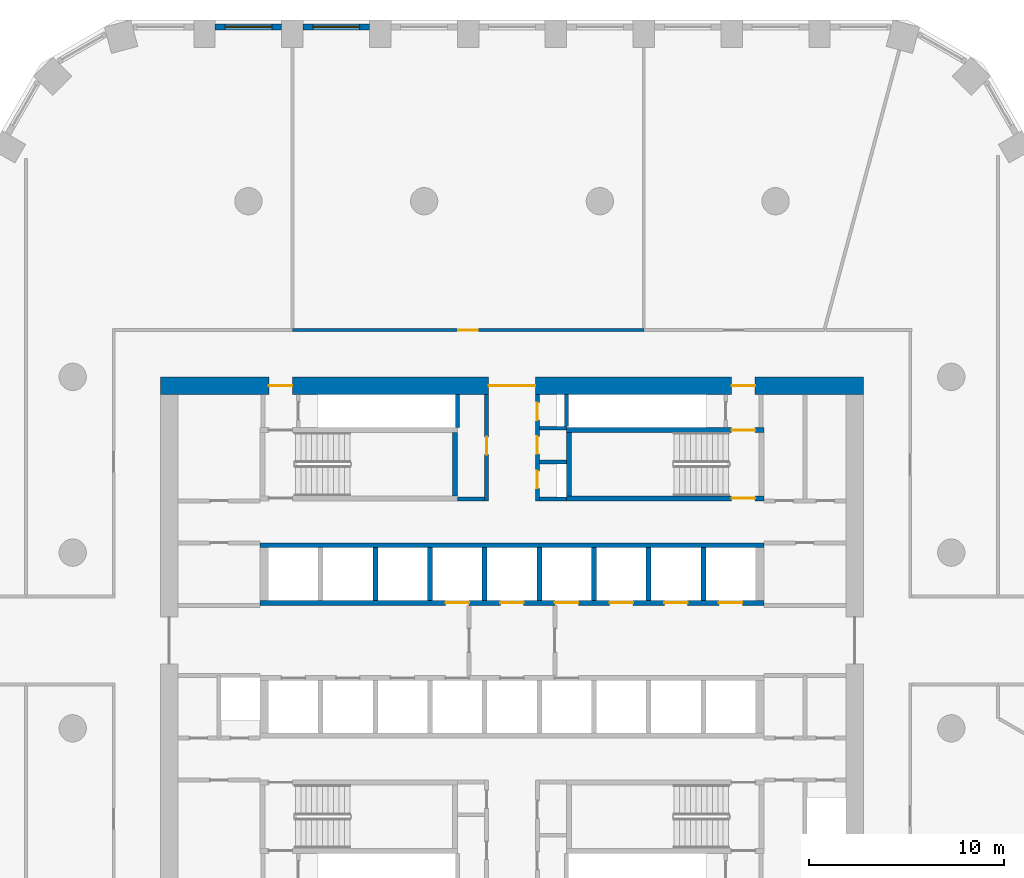
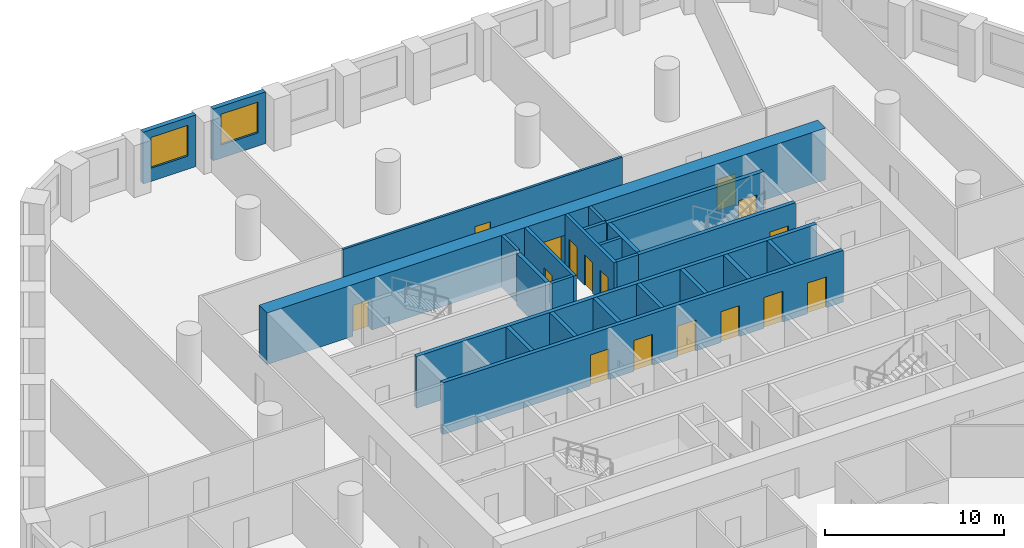
# One storey, part 6 of 10: 25 walls, 16 doors, 2 windows, 18 openings.
"""IFC4 building model written with IfcOpenShell, lengths in metres."""

from ifc_helpers import new_model, si_unit, direction, frame, frame_2d, origin, place, context, subcontext, project, spatial, polyline, rectangle, outline, extrude, material, layer, layer_set, type_object, element, fill, save


model = new_model("IFC4")

# Units and contexts
model_context = context("Model", 3, precision=1e-05, world=origin(), true_north=direction((0.0, 1.0)))
body_context = subcontext(model_context, "Body", "Model", "MODEL_VIEW")
ifc_project = project(units=[si_unit("LENGTHUNIT", "METRE"), si_unit("AREAUNIT", "SQUARE_METRE"), si_unit("VOLUMEUNIT", "CUBIC_METRE"), si_unit("PLANEANGLEUNIT", "RADIAN"), si_unit("MASSUNIT", "GRAM", prefix="KILO")], contexts=[model_context])

# Site, building, storey
site_placement = place(None, origin())
site = spatial("IfcSite", under=ifc_project, at=site_placement, CompositionType="ELEMENT")
building_placement = place(site_placement, origin())
building = spatial("IfcBuilding", under=site, at=building_placement, Name="Dhurran Vertical Campus", CompositionType="ELEMENT")
storey_placement = place(building_placement, frame((0.0, 0.0, 69.0)))
storey = spatial("IfcBuildingStorey", under=building, at=storey_placement, Name="L16", CompositionType="ELEMENT", Elevation=69.0)

# Wall, opening, window
ifc_material_1 = material(Name="Precast concrete C50/60", Category="concrete")
ifc_layer_1 = layer(ifc_material_1, 0.300048828125)
ifc_layer_set_1 = layer_set([ifc_layer_1], Name="Precast concrete C50/60")
wall_type_1 = type_object("IfcWallType", Name="Precast spandrel wall 300", PredefinedType="SOLIDWALL", material=ifc_layer_set_1)
wall_1_placement = place(storey_placement, frame((-7.300537109375, 31.4296875, 0.0), z_axis=(0.0, 0.0, 1.0), x_axis=(-1.0, 0.0, 0.0)))
wall_1 = element("IfcWall", 1, at=wall_1_placement, inside=storey, type_object=wall_type_1, Name="EW1 L16.32", PredefinedType="SOLIDWALL", context=body_context, shape_type="SweptSolid", body=[
    extrude(rectangle(XDim=3.39892578125, YDim=0.300048828125, at=frame_2d((1.699462890625, 0.0))), origin(), (0.0, 0.0, 1.0), 3.52490234375),
])
opening_1_placement = place(wall_1_placement, frame((0.49951171875, 0.0, 0.89990234375)))
opening_1 = element("IfcOpeningElement", 2, at=opening_1_placement, cuts=wall_1, Name="Opening WT1", PredefinedType="OPENING", context=body_context, shape_type="SweptSolid", body=[
    extrude(rectangle(XDim=2.39990234375, YDim=2.10009765625, at=frame_2d((1.199951171875, 1.050048828125))), frame((0.0, 0.159912109375, 0.0), z_axis=(0.0, -1.0, 0.0), x_axis=(1.0, 0.0, 0.0)), (0.0, 0.0, 1.0), 0.320068359375),
])
ifc_material_2 = material(Name="Aluminium frame with solar-control glass", Category="aluminium")
window_type = type_object("IfcWindowType", Name="Punched window 2400 x 2100", PartitioningType="SINGLE_PANEL", PredefinedType="WINDOW", material=ifc_material_2)
window_1_placement = place(opening_1_placement, origin())
window_1 = element("IfcWindow", 3, at=window_1_placement, inside=storey, type_object=window_type, Name="WT1 L16.32", OverallHeight=2.10009765625, OverallWidth=2.39990234375, PartitioningType="SINGLE_PANEL", PredefinedType="WINDOW", context=body_context, shape_type="SweptSolid", body=[
    extrude(rectangle(XDim=2.39990234375, YDim=2.10009765625, at=frame_2d((1.199951171875, 1.050048828125))), frame((0.0, 0.030029296875, 0.0), z_axis=(0.0, -1.0, 0.0), x_axis=(1.0, 0.0, 0.0)), (0.0, 0.0, 1.0), 0.06005859375),
])
fill(opening_1, window_1)

wall_2_placement = place(storey_placement, frame((-11.800537109375, 31.4296875, 0.0), z_axis=(0.0, 0.0, 1.0), x_axis=(-1.0, 0.0, 0.0)))
wall_2 = element("IfcWall", 4, at=wall_2_placement, inside=storey, type_object=wall_type_1, Name="EW1 L16.33", PredefinedType="SOLIDWALL", context=body_context, shape_type="SweptSolid", body=[
    extrude(rectangle(XDim=3.39892578125, YDim=0.300048828125, at=frame_2d((1.699462890625, 0.0))), origin(), (0.0, 0.0, 1.0), 3.52490234375),
])
opening_2_placement = place(wall_2_placement, frame((0.49951171875, 0.0, 0.89990234375)))
opening_2 = element("IfcOpeningElement", 5, at=opening_2_placement, cuts=wall_2, Name="Opening WT1", PredefinedType="OPENING", context=body_context, shape_type="SweptSolid", body=[
    extrude(rectangle(XDim=2.39990234375, YDim=2.10009765625, at=frame_2d((1.199951171875, 1.050048828125))), frame((0.0, 0.159912109375, 0.0), z_axis=(0.0, -1.0, 0.0), x_axis=(1.0, 0.0, 0.0)), (0.0, 0.0, 1.0), 0.320068359375),
])
window_2_placement = place(opening_2_placement, origin())
window_2 = element("IfcWindow", 6, at=window_2_placement, inside=storey, type_object=window_type, Name="WT1 L16.33", OverallHeight=2.10009765625, OverallWidth=2.39990234375, PartitioningType="SINGLE_PANEL", PredefinedType="WINDOW", context=body_context, shape_type="SweptSolid", body=[
    extrude(rectangle(XDim=2.39990234375, YDim=2.10009765625, at=frame_2d((1.199951171875, 1.050048828125))), frame((0.0, 0.030029296875, 0.0), z_axis=(0.0, -1.0, 0.0), x_axis=(1.0, 0.0, 0.0)), (0.0, 0.0, 1.0), 0.06005859375),
])
fill(opening_2, window_2)

# Wall, openings, doors
ifc_material_3 = material(Name="Concrete C60/75", Category="concrete")
ifc_layer_2 = layer(ifc_material_3, 0.89990234375)
ifc_layer_set_2 = layer_set([ifc_layer_2], Name="Concrete C60/75")
wall_type_2 = type_object("IfcWallType", Name="co-CORE-WALL-C0-900", PredefinedType="SHEAR", material=ifc_layer_set_2)
wall_3_placement = place(storey_placement, frame((-18.0, 13.050048828125, 0.0), z_axis=(0.0, 0.0, 1.0), x_axis=(1.0, 0.0, 0.0)))
wall_3 = element("IfcWall", 7, at=wall_3_placement, inside=storey, type_object=wall_type_2, Name="Core wall N L16", PredefinedType="SHEAR", context=body_context, shape_type="SweptSolid", body=[
    extrude(rectangle(XDim=36.0, YDim=0.89990234375, at=frame_2d((18.0, 0.0))), origin(), (0.0, 0.0, 1.0), 3.52490234375),
])
opening_3_placement = place(wall_3_placement, frame((16.800048828125, 0.0, 0.0)))
opening_3 = element("IfcOpeningElement", 8, at=opening_3_placement, cuts=wall_3, Name="Opening CV1", PredefinedType="OPENING", context=body_context, shape_type="SweptSolid", body=[
    extrude(rectangle(XDim=2.39990234375, YDim=2.10009765625, at=frame_2d((1.199951171875, 1.050048828125))), frame((0.0, 0.4599609375, 0.0), z_axis=(0.0, -1.0, 0.0), x_axis=(1.0, 0.0, 0.0)), (0.0, 0.0, 1.0), 0.919921875),
])
opening_4_placement = place(wall_3_placement, frame((5.550048828125, 0.0, 0.0)))
opening_4 = element("IfcOpeningElement", 9, at=opening_4_placement, cuts=wall_3, Name="Opening XD1", PredefinedType="OPENING", context=body_context, shape_type="SweptSolid", body=[
    extrude(rectangle(XDim=1.199951171875, YDim=2.10009765625, at=frame_2d((0.60009765625, 1.050048828125))), frame((0.0, 0.4599609375, 0.0), z_axis=(0.0, -1.0, 0.0), x_axis=(1.0, 0.0, 0.0)), (0.0, 0.0, 1.0), 0.919921875),
])
opening_5_placement = place(wall_3_placement, frame((29.25, 0.0, 0.0)))
opening_5 = element("IfcOpeningElement", 10, at=opening_5_placement, cuts=wall_3, Name="Opening XD2", PredefinedType="OPENING", context=body_context, shape_type="SweptSolid", body=[
    extrude(rectangle(XDim=1.199951171875, YDim=2.10009765625, at=frame_2d((0.60009765625, 1.050048828125))), frame((0.0, 0.4599609375, 0.0), z_axis=(0.0, -1.0, 0.0), x_axis=(1.0, 0.0, 0.0)), (0.0, 0.0, 1.0), 0.919921875),
])
ifc_material_4 = material(Name="Fire-rated glazed door set")
door_type_1 = type_object("IfcDoorType", Name="co-D-LOBBY 2400x2100", OperationType="DOUBLE_DOOR_DOUBLE_SWING", PredefinedType="DOOR", material=ifc_material_4)
door_1_placement = place(opening_3_placement, origin())
door_1 = element("IfcDoor", 11, at=door_1_placement, inside=storey, type_object=door_type_1, Name="Core vestibule door N L16", OperationType="DOUBLE_DOOR_DOUBLE_SWING", OverallHeight=2.10009765625, OverallWidth=2.39990234375, PredefinedType="DOOR", context=body_context, shape_type="SweptSolid", body=[
    extrude(rectangle(XDim=2.39990234375, YDim=2.10009765625, at=frame_2d((1.199951171875, 1.050048828125))), frame((0.0, 0.02490234375, 0.0), z_axis=(0.0, -1.0, 0.0), x_axis=(1.0, 0.0, 0.0)), (0.0, 0.0, 1.0), 0.050048828125),
])
fill(opening_3, door_1)
ifc_material_5 = material(Name="Fire-rated steel door set", Category="steel")
door_type_2 = type_object("IfcDoorType", Name="co-D-STAIR-EXIT 1200x2100", OperationType="SINGLE_SWING_RIGHT", PredefinedType="DOOR", material=ifc_material_5)
door_2_placement = place(opening_4_placement, origin())
door_2 = element("IfcDoor", 12, at=door_2_placement, inside=storey, type_object=door_type_2, Name="Stair ST1 exit door L16", OperationType="SINGLE_SWING_RIGHT", OverallHeight=2.10009765625, OverallWidth=1.199951171875, PredefinedType="DOOR", context=body_context, shape_type="SweptSolid", body=[
    extrude(rectangle(XDim=1.199951171875, YDim=2.10009765625, at=frame_2d((0.60009765625, 1.050048828125))), frame((0.0, 0.02490234375, 0.0), z_axis=(0.0, -1.0, 0.0), x_axis=(1.0, 0.0, 0.0)), (0.0, 0.0, 1.0), 0.050048828125),
])
fill(opening_4, door_2)
door_3_placement = place(opening_5_placement, origin())
door_3 = element("IfcDoor", 13, at=door_3_placement, inside=storey, type_object=door_type_2, Name="Stair ST2 exit door L16", OperationType="SINGLE_SWING_RIGHT", OverallHeight=2.10009765625, OverallWidth=1.199951171875, PredefinedType="DOOR", context=body_context, shape_type="SweptSolid", body=[
    extrude(rectangle(XDim=1.199951171875, YDim=2.10009765625, at=frame_2d((0.60009765625, 1.050048828125))), frame((0.0, 0.02490234375, 0.0), z_axis=(0.0, -1.0, 0.0), x_axis=(1.0, 0.0, 0.0)), (0.0, 0.0, 1.0), 0.050048828125),
])
fill(opening_5, door_3)

# Walls
ifc_material_6 = material(Name="Fire-rated masonry blockwork", Category="masonry")
ifc_layer_3 = layer(ifc_material_6, 0.199951171875)
ifc_layer_set_3 = layer_set([ifc_layer_3], Name="Fire-rated masonry blockwork")
wall_type_3 = type_object("IfcWallType", Name="co-FIRE-PARTITION-200", PredefinedType="PARTITIONING", material=ifc_layer_set_3)
for number, where, z_axis, x_axis, name in (
    (14, (-2.800048828125, 7.25, 0.0), (0.0, 0.0, 1.0), (1.0, 0.0, 0.0), "Core partition sl-NW-S L16"),
    (15, (1.39990234375, 7.25, 0.0), (0.0, 0.0, 1.0), (1.0, 0.0, 0.0), "Core partition sl-NE-S L16"),
    (16, (1.39990234375, 9.135009765625, 0.0), (0.0, 0.0, 1.0), (1.0, 0.0, 0.0), "Core partition sl-NE-cut0 L16"),
    (17, (1.39990234375, 10.867431640625, 0.0), (0.0, 0.0, 1.0), (1.0, 0.0, 0.0), "Core partition sl-NE-cut1 L16"),
):
    element("IfcWall", number, at=place(storey_placement, frame(where, z_axis=z_axis, x_axis=x_axis)), inside=storey, type_object=wall_type_3, Name=name, PredefinedType="PARTITIONING", context=body_context, shape_type="SweptSolid", body=[
        extrude(rectangle(XDim=1.400146484375, YDim=0.199951171875, at=frame_2d((0.7001953125, 0.0))), origin(), (0.0, 0.0, 1.0), 3.52490234375),
    ])

# Wall, opening, door
wall_4_placement = place(storey_placement, frame((-1.300048828125, 7.14990234375, 0.0), z_axis=(0.0, 0.0, 1.0), x_axis=(0.0, 1.0, 0.0)))
wall_4 = element("IfcWall", 18, at=wall_4_placement, inside=storey, type_object=wall_type_3, Name="Core partition vest-NW L16", PredefinedType="PARTITIONING", context=body_context, shape_type="SweptSolid", body=[
    extrude(rectangle(XDim=5.4501953125, YDim=0.199951171875, at=frame_2d((2.72509765625, 0.0))), origin(), (0.0, 0.0, 1.0), 3.52490234375),
])
opening_6_placement = place(wall_4_placement, frame((2.375, 0.0, 0.0)))
opening_6 = element("IfcOpeningElement", 19, at=opening_6_placement, cuts=wall_4, Name="Opening T04-C5", PredefinedType="OPENING", context=body_context, shape_type="SweptSolid", body=[
    extrude(rectangle(XDim=0.89990234375, YDim=2.10009765625, at=frame_2d((0.449951171875, 1.050048828125))), frame((0.0, 0.10986328125, 0.0), z_axis=(0.0, -1.0, 0.0), x_axis=(1.0, 0.0, 0.0)), (0.0, 0.0, 1.0), 0.219970703125),
])
ifc_material_7 = material(Name="Fire-rated timber door set", Category="wood")
door_type_3 = type_object("IfcDoorType", Name="co-D-ROOM 900x2100", OperationType="SINGLE_SWING_LEFT", PredefinedType="DOOR", material=ifc_material_7)
door_4_placement = place(opening_6_placement, origin())
door_4 = element("IfcDoor", 20, at=door_4_placement, inside=storey, type_object=door_type_3, Name="Plant room door L16", OperationType="SINGLE_SWING_LEFT", OverallHeight=2.10009765625, OverallWidth=0.89990234375, PredefinedType="DOOR", context=body_context, shape_type="SweptSolid", body=[
    extrude(rectangle(XDim=0.89990234375, YDim=2.10009765625, at=frame_2d((0.449951171875, 1.050048828125))), frame((0.0, 0.02490234375, 0.0), z_axis=(0.0, -1.0, 0.0), x_axis=(1.0, 0.0, 0.0)), (0.0, 0.0, 1.0), 0.050048828125),
])
fill(opening_6, door_4)

# Wall, openings, doors
wall_5_placement = place(storey_placement, frame((1.300048828125, 7.14990234375, 0.0), z_axis=(0.0, 0.0, 1.0), x_axis=(0.0, 1.0, 0.0)))
wall_5 = element("IfcWall", 21, at=wall_5_placement, inside=storey, type_object=wall_type_3, Name="Core partition vest-NE L16", PredefinedType="PARTITIONING", context=body_context, shape_type="SweptSolid", body=[
    extrude(rectangle(XDim=5.4501953125, YDim=0.199951171875, at=frame_2d((2.72509765625, 0.0))), origin(), (0.0, 0.0, 1.0), 3.52490234375),
])
opening_7_placement = place(wall_5_placement, frame((0.642578125, 0.0, 0.0)))
opening_7 = element("IfcOpeningElement", 22, at=opening_7_placement, cuts=wall_5, Name="Opening T04-C6", PredefinedType="OPENING", context=body_context, shape_type="SweptSolid", body=[
    extrude(rectangle(XDim=0.89990234375, YDim=2.10009765625, at=frame_2d((0.449951171875, 1.050048828125))), frame((0.0, 0.10986328125, 0.0), z_axis=(0.0, -1.0, 0.0), x_axis=(1.0, 0.0, 0.0)), (0.0, 0.0, 1.0), 0.219970703125),
])
opening_8_placement = place(wall_5_placement, frame((2.401123046875, 0.0, 0.0)))
opening_8 = element("IfcOpeningElement", 23, at=opening_8_placement, cuts=wall_5, Name="Opening T04-C7", PredefinedType="OPENING", context=body_context, shape_type="SweptSolid", body=[
    extrude(rectangle(XDim=0.89990234375, YDim=2.10009765625, at=frame_2d((0.449951171875, 1.050048828125))), frame((0.0, 0.10986328125, 0.0), z_axis=(0.0, -1.0, 0.0), x_axis=(1.0, 0.0, 0.0)), (0.0, 0.0, 1.0), 0.219970703125),
])
opening_9_placement = place(wall_5_placement, frame((4.1337890625, 0.0, 0.0)))
opening_9 = element("IfcOpeningElement", 24, at=opening_9_placement, cuts=wall_5, Name="Opening T04-C8", PredefinedType="OPENING", context=body_context, shape_type="SweptSolid", body=[
    extrude(rectangle(XDim=0.89990234375, YDim=2.10009765625, at=frame_2d((0.449951171875, 1.050048828125))), frame((0.0, 0.10986328125, 0.0), z_axis=(0.0, -1.0, 0.0), x_axis=(1.0, 0.0, 0.0)), (0.0, 0.0, 1.0), 0.219970703125),
])
door_5_placement = place(opening_7_placement, origin())
door_5 = element("IfcDoor", 25, at=door_5_placement, inside=storey, type_object=door_type_3, Name="Water riser door L16", OperationType="SINGLE_SWING_LEFT", OverallHeight=2.10009765625, OverallWidth=0.89990234375, PredefinedType="DOOR", context=body_context, shape_type="SweptSolid", body=[
    extrude(rectangle(XDim=0.89990234375, YDim=2.10009765625, at=frame_2d((0.449951171875, 1.050048828125))), frame((0.0, 0.02490234375, 0.0), z_axis=(0.0, -1.0, 0.0), x_axis=(1.0, 0.0, 0.0)), (0.0, 0.0, 1.0), 0.050048828125),
])
fill(opening_7, door_5)
door_6_placement = place(opening_8_placement, origin())
door_6 = element("IfcDoor", 26, at=door_6_placement, inside=storey, type_object=door_type_3, Name="Waste room door L16", OperationType="SINGLE_SWING_LEFT", OverallHeight=2.10009765625, OverallWidth=0.89990234375, PredefinedType="DOOR", context=body_context, shape_type="SweptSolid", body=[
    extrude(rectangle(XDim=0.89990234375, YDim=2.10009765625, at=frame_2d((0.449951171875, 1.050048828125))), frame((0.0, 0.02490234375, 0.0), z_axis=(0.0, -1.0, 0.0), x_axis=(1.0, 0.0, 0.0)), (0.0, 0.0, 1.0), 0.050048828125),
])
fill(opening_8, door_6)
door_7_placement = place(opening_9_placement, origin())
door_7 = element("IfcDoor", 27, at=door_7_placement, inside=storey, type_object=door_type_3, Name="Electrical riser door L16", OperationType="SINGLE_SWING_LEFT", OverallHeight=2.10009765625, OverallWidth=0.89990234375, PredefinedType="DOOR", context=body_context, shape_type="SweptSolid", body=[
    extrude(rectangle(XDim=0.89990234375, YDim=2.10009765625, at=frame_2d((0.449951171875, 1.050048828125))), frame((0.0, 0.02490234375, 0.0), z_axis=(0.0, -1.0, 0.0), x_axis=(1.0, 0.0, 0.0)), (0.0, 0.0, 1.0), 0.050048828125),
])
fill(opening_9, door_7)

# Walls
wall_6_placement = place(storey_placement, frame((-2.800048828125, 10.90087890625, 0.0), z_axis=(0.0, 0.0, 1.0), x_axis=(0.0, 1.0, 0.0)))
element("IfcWall", 28, at=wall_6_placement, inside=storey, type_object=wall_type_3, Name="Riser enclosure wall L16", PredefinedType="PARTITIONING", context=body_context, shape_type="SweptSolid", body=[
    extrude(rectangle(XDim=1.6982421875, YDim=0.199951171875, at=frame_2d((0.84912109375, 0.0))), origin(), (0.0, 0.0, 1.0), 3.52490234375),
])
wall_7_placement = place(storey_placement, frame((2.800048828125, 10.968505859375, 0.0), z_axis=(0.0, 0.0, 1.0), x_axis=(0.0, 1.0, 0.0)))
element("IfcWall", 29, at=wall_7_placement, inside=storey, type_object=wall_type_3, Name="Riser enclosure wall L16", PredefinedType="PARTITIONING", context=body_context, shape_type="SweptSolid", body=[
    extrude(rectangle(XDim=1.630615234375, YDim=0.199951171875, at=frame_2d((0.8154296875, 0.0))), origin(), (0.0, 0.0, 1.0), 3.52490234375),
])

# Wall, openings, doors
ifc_material_8 = material(Name="Concrete C50/60", Category="concrete")
ifc_layer_4 = layer(ifc_material_8, 0.25)
ifc_layer_set_4 = layer_set([ifc_layer_4], Name="Concrete C50/60")
wall_type_4 = type_object("IfcWallType", Name="co-SHAFT-FRONT-250", PredefinedType="SHEAR", material=ifc_layer_set_4)
wall_8_placement = place(storey_placement, frame((-12.89990234375, 1.925048828125, 0.0), z_axis=(0.0, 0.0, 1.0), x_axis=(1.0, 0.0, 0.0)))
wall_8 = element("IfcWall", 30, at=wall_8_placement, inside=storey, type_object=wall_type_4, Name="Lift landing wall N L16", PredefinedType="SHEAR", context=body_context, shape_type="SweptSolid", body=[
    extrude(rectangle(XDim=25.7998046875, YDim=0.25, at=frame_2d((12.89990234375, 0.0))), origin(), (0.0, 0.0, 1.0), 3.52490234375),
])
opening_10_placement = place(wall_8_placement, frame((9.5, 0.0, 0.0)))
opening_10 = element("IfcOpeningElement", 31, at=opening_10_placement, cuts=wall_8, Name="Opening LD", PredefinedType="OPENING", context=body_context, shape_type="SweptSolid", body=[
    extrude(rectangle(XDim=1.199951171875, YDim=2.10009765625, at=frame_2d((0.60009765625, 1.050048828125))), frame((0.0, 0.135009765625, 0.0), z_axis=(0.0, -1.0, 0.0), x_axis=(1.0, 0.0, 0.0)), (0.0, 0.0, 1.0), 0.27001953125),
])
opening_11_placement = place(wall_8_placement, frame((12.300048828125, 0.0, 0.0)))
opening_11 = element("IfcOpeningElement", 32, at=opening_11_placement, cuts=wall_8, Name="Opening LD", PredefinedType="OPENING", context=body_context, shape_type="SweptSolid", body=[
    extrude(rectangle(XDim=1.199951171875, YDim=2.10009765625, at=frame_2d((0.60009765625, 1.050048828125))), frame((0.0, 0.135009765625, 0.0), z_axis=(0.0, -1.0, 0.0), x_axis=(1.0, 0.0, 0.0)), (0.0, 0.0, 1.0), 0.27001953125),
])
opening_12_placement = place(wall_8_placement, frame((15.10009765625, 0.0, 0.0)))
opening_12 = element("IfcOpeningElement", 33, at=opening_12_placement, cuts=wall_8, Name="Opening LD", PredefinedType="OPENING", context=body_context, shape_type="SweptSolid", body=[
    extrude(rectangle(XDim=1.199951171875, YDim=2.10009765625, at=frame_2d((0.60009765625, 1.050048828125))), frame((0.0, 0.135009765625, 0.0), z_axis=(0.0, -1.0, 0.0), x_axis=(1.0, 0.0, 0.0)), (0.0, 0.0, 1.0), 0.27001953125),
])
opening_13_placement = place(wall_8_placement, frame((17.89990234375, 0.0, 0.0)))
opening_13 = element("IfcOpeningElement", 34, at=opening_13_placement, cuts=wall_8, Name="Opening LD", PredefinedType="OPENING", context=body_context, shape_type="SweptSolid", body=[
    extrude(rectangle(XDim=1.199951171875, YDim=2.10009765625, at=frame_2d((0.60009765625, 1.050048828125))), frame((0.0, 0.135009765625, 0.0), z_axis=(0.0, -1.0, 0.0), x_axis=(1.0, 0.0, 0.0)), (0.0, 0.0, 1.0), 0.27001953125),
])
opening_14_placement = place(wall_8_placement, frame((20.699951171875, 0.0, 0.0)))
opening_14 = element("IfcOpeningElement", 35, at=opening_14_placement, cuts=wall_8, Name="Opening LD", PredefinedType="OPENING", context=body_context, shape_type="SweptSolid", body=[
    extrude(rectangle(XDim=1.199951171875, YDim=2.10009765625, at=frame_2d((0.60009765625, 1.050048828125))), frame((0.0, 0.135009765625, 0.0), z_axis=(0.0, -1.0, 0.0), x_axis=(1.0, 0.0, 0.0)), (0.0, 0.0, 1.0), 0.27001953125),
])
opening_15_placement = place(wall_8_placement, frame((23.5, 0.0, 0.0)))
opening_15 = element("IfcOpeningElement", 36, at=opening_15_placement, cuts=wall_8, Name="Opening LD", PredefinedType="OPENING", context=body_context, shape_type="SweptSolid", body=[
    extrude(rectangle(XDim=1.199951171875, YDim=2.10009765625, at=frame_2d((0.60009765625, 1.050048828125))), frame((0.0, 0.135009765625, 0.0), z_axis=(0.0, -1.0, 0.0), x_axis=(1.0, 0.0, 0.0)), (0.0, 0.0, 1.0), 0.27001953125),
])
ifc_material_9 = material(Name="Stainless steel landing door", Category="steel")
door_type_4 = type_object("IfcDoorType", Name="co-D-LANDING 1200x2100", OperationType="DOUBLE_DOOR_SLIDING", PredefinedType="DOOR", material=ifc_material_9)
door_8_placement = place(opening_10_placement, origin())
door_8 = element("IfcDoor", 37, at=door_8_placement, inside=storey, type_object=door_type_4, Name="Landing door LR1 L16", OperationType="DOUBLE_DOOR_SLIDING", OverallHeight=2.10009765625, OverallWidth=1.199951171875, PredefinedType="DOOR", context=body_context, shape_type="SweptSolid", body=[
    extrude(rectangle(XDim=1.199951171875, YDim=2.10009765625, at=frame_2d((0.60009765625, 1.050048828125))), frame((0.0, 0.02490234375, 0.0), z_axis=(0.0, -1.0, 0.0), x_axis=(1.0, 0.0, 0.0)), (0.0, 0.0, 1.0), 0.050048828125),
])
fill(opening_10, door_8)
door_9_placement = place(opening_11_placement, origin())
door_9 = element("IfcDoor", 38, at=door_9_placement, inside=storey, type_object=door_type_4, Name="Landing door FF1 L16", OperationType="DOUBLE_DOOR_SLIDING", OverallHeight=2.10009765625, OverallWidth=1.199951171875, PredefinedType="DOOR", context=body_context, shape_type="SweptSolid", body=[
    extrude(rectangle(XDim=1.199951171875, YDim=2.10009765625, at=frame_2d((0.60009765625, 1.050048828125))), frame((0.0, 0.02490234375, 0.0), z_axis=(0.0, -1.0, 0.0), x_axis=(1.0, 0.0, 0.0)), (0.0, 0.0, 1.0), 0.050048828125),
])
fill(opening_11, door_9)
door_10_placement = place(opening_12_placement, origin())
door_10 = element("IfcDoor", 39, at=door_10_placement, inside=storey, type_object=door_type_4, Name="Landing door LR2 L16", OperationType="DOUBLE_DOOR_SLIDING", OverallHeight=2.10009765625, OverallWidth=1.199951171875, PredefinedType="DOOR", context=body_context, shape_type="SweptSolid", body=[
    extrude(rectangle(XDim=1.199951171875, YDim=2.10009765625, at=frame_2d((0.60009765625, 1.050048828125))), frame((0.0, 0.02490234375, 0.0), z_axis=(0.0, -1.0, 0.0), x_axis=(1.0, 0.0, 0.0)), (0.0, 0.0, 1.0), 0.050048828125),
])
fill(opening_12, door_10)
door_11_placement = place(opening_13_placement, origin())
door_11 = element("IfcDoor", 40, at=door_11_placement, inside=storey, type_object=door_type_4, Name="Landing door LR3 L16", OperationType="DOUBLE_DOOR_SLIDING", OverallHeight=2.10009765625, OverallWidth=1.199951171875, PredefinedType="DOOR", context=body_context, shape_type="SweptSolid", body=[
    extrude(rectangle(XDim=1.199951171875, YDim=2.10009765625, at=frame_2d((0.60009765625, 1.050048828125))), frame((0.0, 0.02490234375, 0.0), z_axis=(0.0, -1.0, 0.0), x_axis=(1.0, 0.0, 0.0)), (0.0, 0.0, 1.0), 0.050048828125),
])
fill(opening_13, door_11)
door_12_placement = place(opening_14_placement, origin())
door_12 = element("IfcDoor", 41, at=door_12_placement, inside=storey, type_object=door_type_4, Name="Landing door LR4 L16", OperationType="DOUBLE_DOOR_SLIDING", OverallHeight=2.10009765625, OverallWidth=1.199951171875, PredefinedType="DOOR", context=body_context, shape_type="SweptSolid", body=[
    extrude(rectangle(XDim=1.199951171875, YDim=2.10009765625, at=frame_2d((0.60009765625, 1.050048828125))), frame((0.0, 0.02490234375, 0.0), z_axis=(0.0, -1.0, 0.0), x_axis=(1.0, 0.0, 0.0)), (0.0, 0.0, 1.0), 0.050048828125),
])
fill(opening_14, door_12)
door_13_placement = place(opening_15_placement, origin())
door_13 = element("IfcDoor", 42, at=door_13_placement, inside=storey, type_object=door_type_4, Name="Landing door SV2 L16", OperationType="DOUBLE_DOOR_SLIDING", OverallHeight=2.10009765625, OverallWidth=1.199951171875, PredefinedType="DOOR", context=body_context, shape_type="SweptSolid", body=[
    extrude(rectangle(XDim=1.199951171875, YDim=2.10009765625, at=frame_2d((0.60009765625, 1.050048828125))), frame((0.0, 0.02490234375, 0.0), z_axis=(0.0, -1.0, 0.0), x_axis=(1.0, 0.0, 0.0)), (0.0, 0.0, 1.0), 0.050048828125),
])
fill(opening_15, door_13)

# Walls
ifc_material_10 = material(Name="Concrete C50/60", Category="concrete")
ifc_layer_5 = layer(ifc_material_10, 0.25)
ifc_layer_set_5 = layer_set([ifc_layer_5], Name="Concrete C50/60")
wall_type_5 = type_object("IfcWallType", Name="co-SHAFT-MASS-250", PredefinedType="SHEAR", material=ifc_layer_set_5)
wall_9_placement = place(storey_placement, origin())
element("IfcWall", 43, at=wall_9_placement, inside=storey, type_object=wall_type_5, Name="Lift shaft wall N L16 1", PredefinedType="SHEAR", context=body_context, shape_type="SweptSolid", body=[
    extrude(outline(polyline([(-12.89990234375, 4.75), (12.89990234375, 4.75), (12.89990234375, 5.0), (-12.89990234375, 5.0), (-12.89990234375, 4.75)])), origin(), (0.0, 0.0, 1.0), 3.52490234375),
])
wall_10_placement = place(storey_placement, origin())
element("IfcWall", 44, at=wall_10_placement, inside=storey, type_object=wall_type_5, Name="Lift shaft wall N L16 4", PredefinedType="SHEAR", context=body_context, shape_type="SweptSolid", body=[
    extrude(outline(polyline([(-7.125, 2.050048828125), (-6.875, 2.050048828125), (-6.875, 4.75), (-7.125, 4.75), (-7.125, 2.050048828125)])), origin(), (0.0, 0.0, 1.0), 3.52490234375),
])
wall_11_placement = place(storey_placement, origin())
element("IfcWall", 45, at=wall_11_placement, inside=storey, type_object=wall_type_5, Name="Lift shaft wall N L16 5", PredefinedType="SHEAR", context=body_context, shape_type="SweptSolid", body=[
    extrude(outline(polyline([(-4.324951171875, 2.050048828125), (-4.074951171875, 2.050048828125), (-4.074951171875, 4.75), (-4.324951171875, 4.75), (-4.324951171875, 2.050048828125)])), origin(), (0.0, 0.0, 1.0), 3.52490234375),
])
wall_12_placement = place(storey_placement, origin())
element("IfcWall", 46, at=wall_12_placement, inside=storey, type_object=wall_type_5, Name="Lift shaft wall N L16 6", PredefinedType="SHEAR", context=body_context, shape_type="SweptSolid", body=[
    extrude(outline(polyline([(-1.52490234375, 2.050048828125), (-1.27490234375, 2.050048828125), (-1.27490234375, 4.75), (-1.52490234375, 4.75), (-1.52490234375, 2.050048828125)])), origin(), (0.0, 0.0, 1.0), 3.52490234375),
])
wall_13_placement = place(storey_placement, origin())
element("IfcWall", 47, at=wall_13_placement, inside=storey, type_object=wall_type_5, Name="Lift shaft wall N L16 7", PredefinedType="SHEAR", context=body_context, shape_type="SweptSolid", body=[
    extrude(outline(polyline([(1.27490234375, 2.050048828125), (1.52490234375, 2.050048828125), (1.52490234375, 4.75), (1.27490234375, 4.75), (1.27490234375, 2.050048828125)])), origin(), (0.0, 0.0, 1.0), 3.52490234375),
])
wall_14_placement = place(storey_placement, origin())
element("IfcWall", 48, at=wall_14_placement, inside=storey, type_object=wall_type_5, Name="Lift shaft wall N L16 8", PredefinedType="SHEAR", context=body_context, shape_type="SweptSolid", body=[
    extrude(outline(polyline([(4.074951171875, 2.050048828125), (4.324951171875, 2.050048828125), (4.324951171875, 4.75), (4.074951171875, 4.75), (4.074951171875, 2.050048828125)])), origin(), (0.0, 0.0, 1.0), 3.52490234375),
])
wall_15_placement = place(storey_placement, origin())
element("IfcWall", 49, at=wall_15_placement, inside=storey, type_object=wall_type_5, Name="Lift shaft wall N L16 9", PredefinedType="SHEAR", context=body_context, shape_type="SweptSolid", body=[
    extrude(outline(polyline([(6.875, 2.050048828125), (7.125, 2.050048828125), (7.125, 4.75), (6.875, 4.75), (6.875, 2.050048828125)])), origin(), (0.0, 0.0, 1.0), 3.52490234375),
])
wall_16_placement = place(storey_placement, origin())
element("IfcWall", 50, at=wall_16_placement, inside=storey, type_object=wall_type_5, Name="Lift shaft wall N L16 10", PredefinedType="SHEAR", context=body_context, shape_type="SweptSolid", body=[
    extrude(outline(polyline([(9.675048828125, 2.050048828125), (9.925048828125, 2.050048828125), (9.925048828125, 4.75), (9.675048828125, 4.75), (9.675048828125, 2.050048828125)])), origin(), (0.0, 0.0, 1.0), 3.52490234375),
])
ifc_material_11 = material(Name="Concrete C40/50", Category="concrete")
ifc_layer_6 = layer(ifc_material_11, 0.25)
ifc_layer_set_6 = layer_set([ifc_layer_6], Name="Concrete C40/50")
wall_type_6 = type_object("IfcWallType", Name="co-STAIR-WALL-250", PredefinedType="SHEAR", material=ifc_layer_set_6)
wall_17_placement = place(storey_placement, frame((-2.925048828125, 7.39990234375, 0.0), z_axis=(0.0, 0.0, 1.0), x_axis=(0.0, 1.0, 0.0)))
element("IfcWall", 51, at=wall_17_placement, inside=storey, type_object=wall_type_6, Name="Stair ST1 enclosure wall L16", PredefinedType="SHEAR", context=body_context, shape_type="SweptSolid", body=[
    extrude(rectangle(XDim=3.25, YDim=0.25, at=frame_2d((1.625, 0.0))), origin(), (0.0, 0.0, 1.0), 3.52490234375),
])

# Wall, opening, door
wall_18_placement = place(storey_placement, frame((2.800048828125, 7.27490234375, 0.0), z_axis=(0.0, 0.0, 1.0), x_axis=(1.0, 0.0, 0.0)))
wall_18 = element("IfcWall", 52, at=wall_18_placement, inside=storey, type_object=wall_type_6, Name="Stair ST2 enclosure wall L16", PredefinedType="SHEAR", context=body_context, shape_type="SweptSolid", body=[
    extrude(rectangle(XDim=10.099853515625, YDim=0.25, at=frame_2d((5.0498046875, 0.0))), origin(), (0.0, 0.0, 1.0), 3.52490234375),
])
opening_16_placement = place(wall_18_placement, frame((8.449951171875, 0.0, 0.0)))
opening_16 = element("IfcOpeningElement", 53, at=opening_16_placement, cuts=wall_18, Name="Opening SD2", PredefinedType="OPENING", context=body_context, shape_type="SweptSolid", body=[
    extrude(rectangle(XDim=1.199951171875, YDim=2.10009765625, at=frame_2d((0.60009765625, 1.050048828125))), frame((0.0, 0.135009765625, 0.0), z_axis=(0.0, -1.0, 0.0), x_axis=(1.0, 0.0, 0.0)), (0.0, 0.0, 1.0), 0.27001953125),
])
ifc_material_12 = material(Name="Fire-rated steel door set", Category="steel")
door_type_5 = type_object("IfcDoorType", Name="co-D-STAIR 1200x2100", OperationType="SINGLE_SWING_LEFT", PredefinedType="DOOR", material=ifc_material_12)
door_14_placement = place(opening_16_placement, origin())
door_14 = element("IfcDoor", 54, at=door_14_placement, inside=storey, type_object=door_type_5, Name="Stair ST2 door L16", OperationType="SINGLE_SWING_LEFT", OverallHeight=2.10009765625, OverallWidth=1.199951171875, PredefinedType="DOOR", context=body_context, shape_type="SweptSolid", body=[
    extrude(rectangle(XDim=1.199951171875, YDim=2.10009765625, at=frame_2d((0.60009765625, 1.050048828125))), frame((0.0, 0.02490234375, 0.0), z_axis=(0.0, -1.0, 0.0), x_axis=(1.0, 0.0, 0.0)), (0.0, 0.0, 1.0), 0.050048828125),
])
fill(opening_16, door_14)

wall_19_placement = place(storey_placement, frame((2.800048828125, 10.77490234375, 0.0), z_axis=(0.0, 0.0, 1.0), x_axis=(1.0, 0.0, 0.0)))
wall_19 = element("IfcWall", 55, at=wall_19_placement, inside=storey, type_object=wall_type_6, Name="Stair ST2 enclosure wall L16", PredefinedType="SHEAR", context=body_context, shape_type="SweptSolid", body=[
    extrude(rectangle(XDim=10.099853515625, YDim=0.25, at=frame_2d((5.0498046875, 0.0))), origin(), (0.0, 0.0, 1.0), 3.52490234375),
])
opening_17_placement = place(wall_19_placement, frame((8.449951171875, 0.0, 0.0)))
opening_17 = element("IfcOpeningElement", 56, at=opening_17_placement, cuts=wall_19, Name="Opening XS2", PredefinedType="OPENING", context=body_context, shape_type="SweptSolid", body=[
    extrude(rectangle(XDim=1.199951171875, YDim=2.10009765625, at=frame_2d((0.60009765625, 1.050048828125))), frame((0.0, 0.135009765625, 0.0), z_axis=(0.0, -1.0, 0.0), x_axis=(1.0, 0.0, 0.0)), (0.0, 0.0, 1.0), 0.27001953125),
])
door_15_placement = place(opening_17_placement, origin())
door_15 = element("IfcDoor", 57, at=door_15_placement, inside=storey, type_object=door_type_2, Name="Stair ST2 discharge door L16", OperationType="SINGLE_SWING_RIGHT", OverallHeight=2.10009765625, OverallWidth=1.199951171875, PredefinedType="DOOR", context=body_context, shape_type="SweptSolid", body=[
    extrude(rectangle(XDim=1.199951171875, YDim=2.10009765625, at=frame_2d((0.60009765625, 1.050048828125))), frame((0.0, 0.02490234375, 0.0), z_axis=(0.0, -1.0, 0.0), x_axis=(1.0, 0.0, 0.0)), (0.0, 0.0, 1.0), 0.050048828125),
])
fill(opening_17, door_15)

# Wall
wall_20_placement = place(storey_placement, frame((2.925048828125, 7.39990234375, 0.0), z_axis=(0.0, 0.0, 1.0), x_axis=(0.0, 1.0, 0.0)))
element("IfcWall", 58, at=wall_20_placement, inside=storey, type_object=wall_type_6, Name="Stair ST2 enclosure wall L16", PredefinedType="SHEAR", context=body_context, shape_type="SweptSolid", body=[
    extrude(rectangle(XDim=3.25, YDim=0.25, at=frame_2d((1.625, 0.0))), origin(), (0.0, 0.0, 1.0), 3.52490234375),
])

# Wall, opening, door
ifc_material_13 = material(Name="Gypsum board corridor wall on steel studs", Category="steel")
ifc_layer_7 = layer(ifc_material_13, 0.14990234375)
ifc_layer_set_7 = layer_set([ifc_layer_7], Name="Gypsum board corridor wall on steel studs")
wall_type_7 = type_object("IfcWallType", Name="fl-CW-150 corridor wall", PredefinedType="PARTITIONING", material=ifc_layer_set_7)
wall_21_placement = place(storey_placement, frame((6.75, 15.89990234375, 0.0), z_axis=(0.0, 0.0, 1.0), x_axis=(-1.0, 0.0, 0.0)))
wall_21 = element("IfcWall", 59, at=wall_21_placement, inside=storey, type_object=wall_type_7, Name="Partition 16-18", PredefinedType="PARTITIONING", context=body_context, shape_type="SweptSolid", body=[
    extrude(rectangle(XDim=18.0, YDim=0.14990234375, at=frame_2d((9.0, 0.0))), origin(), (0.0, 0.0, 1.0), 3.52490234375),
])
opening_18_placement = place(wall_21_placement, frame((8.5, 0.0, 0.0)))
opening_18 = element("IfcOpeningElement", 60, at=opening_18_placement, cuts=wall_21, Name="Opening T04.09", PredefinedType="OPENING", context=body_context, shape_type="SweptSolid", body=[
    extrude(rectangle(XDim=1.0, YDim=2.10009765625, at=frame_2d((0.5, 1.050048828125))), frame((0.0, 0.0849609375, 0.0), z_axis=(0.0, -1.0, 0.0), x_axis=(1.0, 0.0, 0.0)), (0.0, 0.0, 1.0), 0.169921875),
])
ifc_material_14 = material(Name="Solid-core timber door set, fire-rated", Category="wood")
door_type_6 = type_object("IfcDoorType", Name="fl-D-1000x2100", OperationType="SINGLE_SWING_LEFT", PredefinedType="DOOR", material=ifc_material_14)
door_16_placement = place(opening_18_placement, origin())
door_16 = element("IfcDoor", 61, at=door_16_placement, inside=storey, type_object=door_type_6, Name="Door 16.09", OperationType="SINGLE_SWING_RIGHT", OverallHeight=2.10009765625, OverallWidth=1.0, PredefinedType="DOOR", context=body_context, shape_type="SweptSolid", body=[
    extrude(rectangle(XDim=1.0, YDim=2.10009765625, at=frame_2d((0.5, 1.050048828125))), frame((0.0, 0.02490234375, 0.0), z_axis=(0.0, -1.0, 0.0), x_axis=(1.0, 0.0, 0.0)), (0.0, 0.0, 1.0), 0.050048828125),
])
fill(opening_18, door_16)

save(model, "model.ifc")
